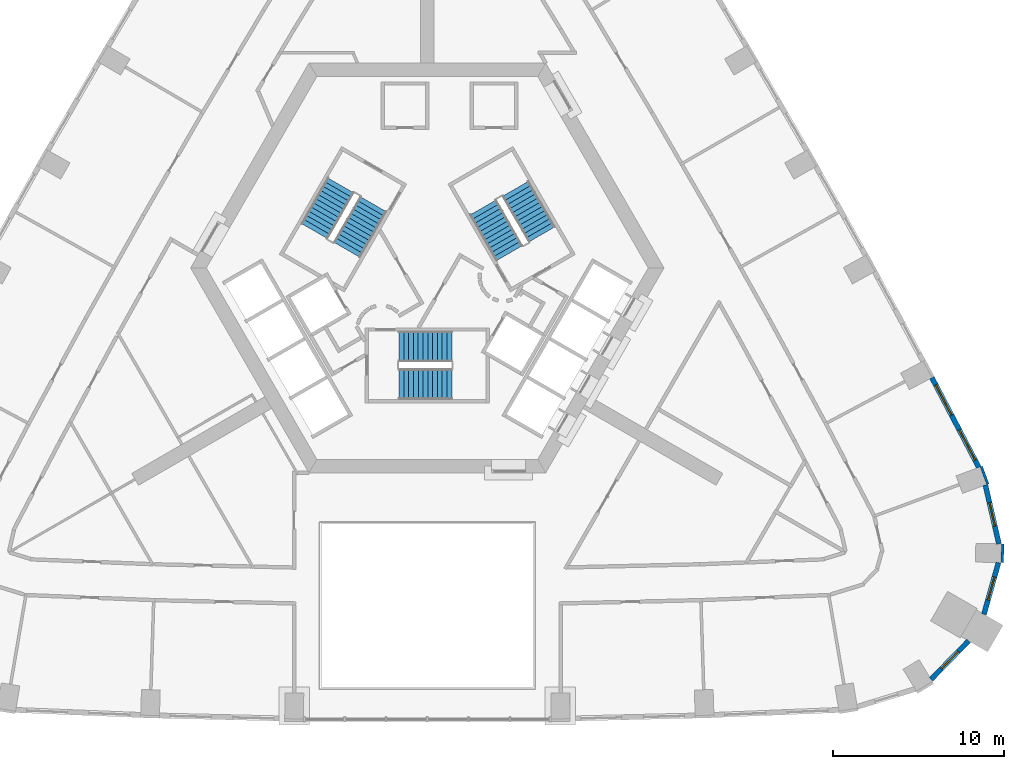
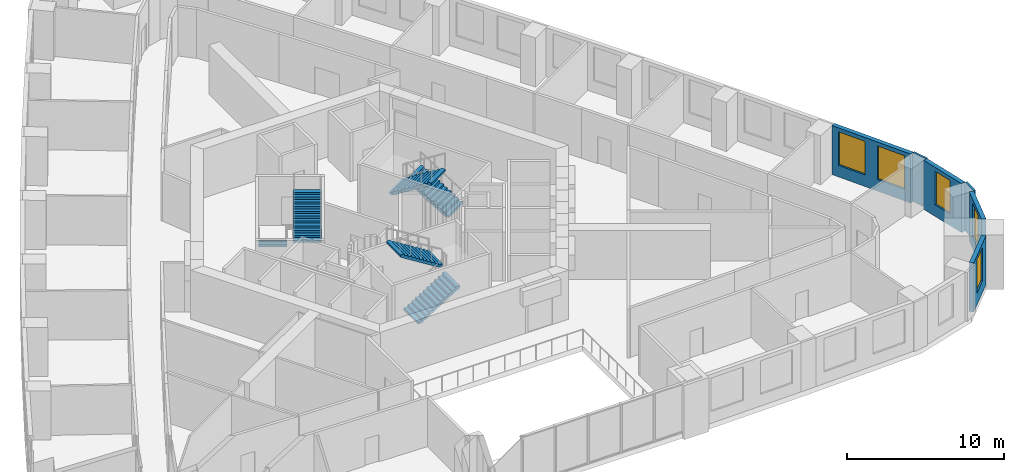
# One storey, part 11 of 12: 6 stair flights, 6 walls, 5 windows, 5 openings, 3 elements without a shape of their own.
"""IFC4 building model written with IfcOpenShell, lengths in metres."""

import ifcopenshell
import ifcopenshell.guid

model = None  # the IFC model being written
_history = None  # IfcOwnerHistory: only IFC2X3 demands one
_inside = {}  # id of a spatial element -> (the spatial element, [elements in it])
_under = {}  # id of a project, library or spatial element -> (it, [spatial elements below it])
_declared = {}  # id of a project -> (the project, [libraries it declares])
_typed = {}  # id of a type object -> (the type object, [elements of that type])
_made_of = {}  # id of a material, layer set ... -> (it, [elements and type objects made of it])


def new_model(schema):
    """Start an empty IFC model of exactly this schema.

    Asked for "IFC4X3", IfcOpenShell would pick the latest addendum, in which some entities
    have other attributes; the version numbers below select the first issue.
    IFC2X3 requires an IfcOwnerHistory on every rooted entity: one is made here for all.
    """
    global model, _history
    if schema == "IFC4X3":
        model = ifcopenshell.file(schema_version=(4, 3, 0, 0))
    else:
        model = ifcopenshell.file(schema=schema)
    _inside.clear()
    _under.clear()
    _declared.clear()
    _typed.clear()
    _made_of.clear()
    _history = None
    if model.schema == "IFC2X3":
        org = make("IfcOrganization", Name="unknown")
        user = make(
            "IfcPersonAndOrganization",
            ThePerson=make("IfcPerson", FamilyName="unknown"),
            TheOrganization=org,
        )
        app = make(
            "IfcApplication",
            ApplicationDeveloper=org,
            Version="unknown",
            ApplicationFullName="unknown",
            ApplicationIdentifier="unknown",
        )
        _history = make(
            "IfcOwnerHistory",
            OwningUser=user,
            OwningApplication=app,
            ChangeAction="ADDED",
            CreationDate=0,
        )
    return model


def make(cls, **values):
    """One entity of the class cls with the attributes given. An attribute that is None is left unset."""
    return model.create_entity(
        cls, **{name: value for name, value in values.items() if value is not None}
    )


def rooted(cls, **values):
    """An entity with a GlobalId (a new one), such as an element, a storey or a relation."""
    return make(cls, GlobalId=ifcopenshell.guid.new(), OwnerHistory=_history, **values)


def si_unit(unit_type, name, prefix=None):
    """IfcSIUnit, for example si_unit("LENGTHUNIT", "METRE", prefix="MILLI")."""
    return make("IfcSIUnit", UnitType=unit_type, Prefix=prefix, Name=name)


def assignment(units):
    """IfcUnitAssignment: the units of a project."""
    return None if units is None else make("IfcUnitAssignment", Units=units)


def point(xyz):
    """IfcCartesianPoint."""
    return None if xyz is None else make("IfcCartesianPoint", Coordinates=xyz)


def direction(xyz):
    """IfcDirection."""
    return None if xyz is None else make("IfcDirection", DirectionRatios=xyz)


def frame(location, z_axis=None, x_axis=None):
    """IfcAxis2Placement3D, a coordinate frame: its origin and axes. An axis left out is left unset."""
    return make(
        "IfcAxis2Placement3D",
        Location=point(location),
        Axis=direction(z_axis),
        RefDirection=direction(x_axis),
    )


def frame_2d(location, x_axis=None):
    """IfcAxis2Placement2D, a coordinate frame in the plane: its origin and x axis."""
    return make(
        "IfcAxis2Placement2D", Location=point(location), RefDirection=direction(x_axis)
    )


def origin():
    """The frame at (0, 0, 0) with its axes left unset."""
    return frame((0.0, 0.0, 0.0))


def place(relative_to, where):
    """IfcLocalPlacement: puts the frame where relative to a parent placement (None: the world)."""
    return make(
        "IfcLocalPlacement", PlacementRelTo=relative_to, RelativePlacement=where
    )


def context(
    kind, dimensions, precision=None, world=None, true_north=None, identifier=None
):
    """IfcGeometricRepresentationContext, for example the 3D "Model" context."""
    return make(
        "IfcGeometricRepresentationContext",
        ContextIdentifier=identifier,
        ContextType=kind,
        CoordinateSpaceDimension=dimensions,
        Precision=precision,
        WorldCoordinateSystem=world,
        TrueNorth=true_north,
    )


def subcontext(parent, identifier, kind, view, scale=None):
    """IfcGeometricRepresentationSubContext, for example "Body" below "Model"."""
    return make(
        "IfcGeometricRepresentationSubContext",
        ContextIdentifier=identifier,
        ContextType=kind,
        ParentContext=parent,
        TargetScale=scale,
        TargetView=view,
    )


def project(units=None, contexts=None):
    """IfcProject with its units and contexts."""
    return rooted(
        "IfcProject",
        Name="project",
        RepresentationContexts=contexts,
        UnitsInContext=assignment(units),
    )


def spatial(cls, under=None, at=None, **own):
    """A site, building, storey or space (cls), placed at a placement, below another one or the project."""
    s = rooted(cls, ObjectPlacement=at, **own)
    if under is not None:
        _under.setdefault(under.id(), (under, []))[1].append(s)
    return s


def polyline(points):
    """IfcPolyline through the points."""
    return make("IfcPolyline", Points=[point(p) for p in points])


def profile(cls, at=None, kind="AREA", **sizes):
    """A parametric profile (cls). Its sizes go by their IFC names, for example OverallWidth=200.0."""
    return make(cls, ProfileType=kind, Position=at, **sizes)


def rectangle(**sizes):
    """IfcRectangleProfileDef."""
    return profile("IfcRectangleProfileDef", **sizes)


def outline(outer, holes=None, kind="AREA"):
    """IfcArbitraryClosedProfileDef: a profile drawn as a closed curve; with holes, ...WithVoids."""
    if holes is None:
        return make("IfcArbitraryClosedProfileDef", ProfileType=kind, OuterCurve=outer)
    return make(
        "IfcArbitraryProfileDefWithVoids",
        ProfileType=kind,
        OuterCurve=outer,
        InnerCurves=holes,
    )


def extrude(swept, where, along, depth):
    """IfcExtrudedAreaSolid: the profile swept, set in the frame where, extruded along a direction by depth."""
    return make(
        "IfcExtrudedAreaSolid",
        SweptArea=swept,
        Position=where,
        ExtrudedDirection=direction(along),
        Depth=depth,
    )


def shape(context_of_items, identifier, shape_type, items):
    """IfcShapeRepresentation: the items that make up one representation, for example the "Body"."""
    return make(
        "IfcShapeRepresentation",
        ContextOfItems=context_of_items,
        RepresentationIdentifier=identifier,
        RepresentationType=shape_type,
        Items=items,
    )


def material(Name=None, Category=None):
    """IfcMaterial."""
    return make("IfcMaterial", Name=Name, Category=Category)


def layer(
    of_material, thickness, ventilated=None, Name=None, Category=None, Priority=None
):
    """IfcMaterialLayer: one layer of a wall or slab, of a material (None: an air gap)."""
    return make(
        "IfcMaterialLayer",
        Material=of_material,
        LayerThickness=thickness,
        IsVentilated=ventilated,
        Name=Name,
        Category=Category,
        Priority=Priority,
    )


def layer_set(layers, Name=None):
    """IfcMaterialLayerSet."""
    return make("IfcMaterialLayerSet", MaterialLayers=layers, LayerSetName=Name)


def made_of(thing, what):
    """Note that an element or type object is made of a material, layer set ...; save() writes the relation."""
    if what is not None:
        _made_of.setdefault(what.id(), (what, []))[1].append(thing)
    return thing


def type_object(cls, material=None, **own):
    """A type object (cls), such as IfcWallType, which elements share."""
    return made_of(rooted(cls, **own), material)


def element(
    cls,
    number,
    at=None,
    inside=None,
    cuts=None,
    type_object=None,
    material=None,
    context=None,
    identifier="Body",
    shape_type=None,
    held_by="IfcProductDefinitionShape",
    body=None,
    shapes=None,
    **own,
):
    """One element of the class cls, such as IfcWall. Its Tag is "e" and its number.

    at: its placement. inside: the storey or other place that contains it. cuts: it is an
    opening in that element (IfcRelVoidsElement). A single representation is given by context,
    identifier, shape_type and body (its items); several are given by shapes. held_by: the class
    of the entity that holds the representations. save() writes the other relations.
    """
    e = rooted(cls, Tag="e%d" % number, ObjectPlacement=at, **own)
    if body is not None:
        shapes = [shape(context, identifier, shape_type, body)]
    if shapes is not None:
        e.Representation = make(held_by, Representations=shapes)
    if inside is not None:
        _inside.setdefault(inside.id(), (inside, []))[1].append(e)
    if cuts is not None:
        rooted(
            "IfcRelVoidsElement", RelatingBuildingElement=cuts, RelatedOpeningElement=e
        )
    if type_object is not None:
        _typed.setdefault(type_object.id(), (type_object, []))[1].append(e)
    return made_of(e, material)


def fill(opening, filler):
    """IfcRelFillsElement: the door or window that sits in an opening."""
    return rooted(
        "IfcRelFillsElement",
        RelatingOpeningElement=opening,
        RelatedBuildingElement=filler,
    )


def aggregate(whole, parts):
    """IfcRelAggregates: a whole, such as a stair, and the parts it consists of."""
    return rooted("IfcRelAggregates", RelatingObject=whole, RelatedObjects=parts)


def save(model, path):
    """Write the relations noted so far, then the file.

    IfcRelAggregates (storeys below a building ...), IfcRelContainedInSpatialStructure (elements
    in a storey), IfcRelDefinesByType, IfcRelAssociatesMaterial and IfcRelDeclares: one each for
    every whole, place, type object, material and project.
    """
    for whole, parts in _under.values():
        aggregate(whole, parts)
    for where, things in _inside.values():
        rooted(
            "IfcRelContainedInSpatialStructure",
            RelatedElements=things,
            RelatingStructure=where,
        )
    for kind, things in _typed.values():
        rooted("IfcRelDefinesByType", RelatedObjects=things, RelatingType=kind)
    for what, things in _made_of.values():
        rooted("IfcRelAssociatesMaterial", RelatedObjects=things, RelatingMaterial=what)
    for by, libraries in _declared.values():
        rooted("IfcRelDeclares", RelatingContext=by, RelatedDefinitions=libraries)
    model.write(path)


model = new_model("IFC4")

# Units and contexts
model_context = context("Model", 3, precision=1e-05, world=origin(), true_north=direction((0.0, 1.0)))
body_context = subcontext(model_context, "Body", "Model", "MODEL_VIEW")
ifc_project = project(units=[si_unit("LENGTHUNIT", "METRE"), si_unit("AREAUNIT", "SQUARE_METRE"), si_unit("VOLUMEUNIT", "CUBIC_METRE"), si_unit("PLANEANGLEUNIT", "RADIAN"), si_unit("MASSUNIT", "GRAM", prefix="KILO")], contexts=[model_context])

# Site, building, storey
site_placement = place(None, origin())
site = spatial("IfcSite", under=ifc_project, at=site_placement, CompositionType="ELEMENT")
building_placement = place(site_placement, origin())
building = spatial("IfcBuilding", under=site, at=building_placement, Name="Entoto Arch Interchange Tower", CompositionType="ELEMENT")
storey_placement = place(building_placement, frame((0.0, 0.0, 142.39990234375)))
storey = spatial("IfcBuildingStorey", under=building, at=storey_placement, Name="L31", CompositionType="ELEMENT", Elevation=142.39990234375)

# Wall, opening, window
ifc_material_1 = material(Name="Welded tuff (ignimbrite) cladding, warm buff", Category="masonry")
ifc_layer_1 = layer(ifc_material_1, 0.300048828125)
ifc_layer_set_1 = layer_set([ifc_layer_1], Name="Welded tuff (ignimbrite) cladding, warm buff")
wall_type_1 = type_object("IfcWallType", Name="STONE INFILL WALL 300", PredefinedType="STANDARD", material=ifc_layer_set_1)
wall_1_placement = place(storey_placement, frame((29.490966796875, -21.58203125, 0.0), z_axis=(0.0, 0.0, 1.0), x_axis=(0.698633260198, 0.715479956215, 0.0)))
wall_1 = element("IfcWall", 1, at=wall_1_placement, inside=storey, type_object=wall_type_1, Name="Facade wall SE-02 L31", PredefinedType="STANDARD", context=body_context, shape_type="SweptSolid", body=[
    extrude(rectangle(XDim=3.144775390625, YDim=0.300048828125, at=frame_2d((1.572265625, 0.0))), origin(), (0.0, 0.0, 1.0), 3.800048828125),
])
opening_1_placement = place(wall_1_placement, frame((0.8720703125, 0.0, 0.89990234375)))
opening_1 = element("IfcOpeningElement", 2, at=opening_1_placement, cuts=wall_1, Name="Opening WO-B", PredefinedType="OPENING", context=body_context, shape_type="SweptSolid", body=[
    extrude(rectangle(XDim=1.39990234375, YDim=2.60009765625, at=frame_2d((0.699951171875, 1.300048828125))), frame((0.0, 0.16015625, 0.0), z_axis=(0.0, -1.0, 0.0), x_axis=(1.0, 0.0, 0.0)), (0.0, 0.0, 1.0), 0.320068359375),
])
ifc_material_2 = material(Name="Clear glass, low-e double glazed", Category="glass")
window_type_1 = type_object("IfcWindowType", Name="WINDOW WO-B 1400x2600", PartitioningType="DOUBLE_PANEL_VERTICAL", PredefinedType="WINDOW", material=ifc_material_2)
window_1_placement = place(opening_1_placement, origin())
window_1 = element("IfcWindow", 3, at=window_1_placement, inside=storey, type_object=window_type_1, Name="Window WO-B SE-02 L31", OverallHeight=2.60009765625, OverallWidth=1.39990234375, PartitioningType="SINGLE_PANEL", PredefinedType="WINDOW", context=body_context, shape_type="SweptSolid", body=[
    extrude(rectangle(XDim=1.39990234375, YDim=2.60009765625, at=frame_2d((0.699951171875, 1.300048828125))), frame((0.0, 0.030029296875, 0.0), z_axis=(0.0, -1.0, 0.0), x_axis=(1.0, 0.0, 0.0)), (0.0, 0.0, 1.0), 0.06005859375),
])
fill(opening_1, window_1)

wall_2_placement = place(storey_placement, frame((32.5869140625, -17.77490234375, 0.0), z_axis=(0.0, 0.0, 1.0), x_axis=(0.270471130801, 0.962728085912, 0.0)))
wall_2 = element("IfcWall", 4, at=wall_2_placement, inside=storey, type_object=wall_type_1, Name="Facade wall SE-03 L31", PredefinedType="STANDARD", context=body_context, shape_type="SweptSolid", body=[
    extrude(rectangle(XDim=3.14306640625, YDim=0.300048828125, at=frame_2d((1.571533203125, 0.0))), origin(), (0.0, 0.0, 1.0), 3.800048828125),
])
opening_2_placement = place(wall_2_placement, frame((0.8720703125, 0.0, 0.89990234375)))
opening_2 = element("IfcOpeningElement", 5, at=opening_2_placement, cuts=wall_2, Name="Opening WO-B", PredefinedType="OPENING", context=body_context, shape_type="SweptSolid", body=[
    extrude(rectangle(XDim=1.39990234375, YDim=2.60009765625, at=frame_2d((0.699951171875, 1.300048828125))), frame((0.0, 0.16015625, 0.0), z_axis=(0.0, -1.0, 0.0), x_axis=(1.0, 0.0, 0.0)), (0.0, 0.0, 1.0), 0.320068359375),
])
window_2_placement = place(opening_2_placement, origin())
window_2 = element("IfcWindow", 6, at=window_2_placement, inside=storey, type_object=window_type_1, Name="Window WO-B SE-03 L31", OverallHeight=2.60009765625, OverallWidth=1.39990234375, PartitioningType="SINGLE_PANEL", PredefinedType="WINDOW", context=body_context, shape_type="SweptSolid", body=[
    extrude(rectangle(XDim=1.39990234375, YDim=2.60009765625, at=frame_2d((0.699951171875, 1.300048828125))), frame((0.0, 0.030029296875, 0.0), z_axis=(0.0, -1.0, 0.0), x_axis=(1.0, 0.0, 0.0)), (0.0, 0.0, 1.0), 0.06005859375),
])
fill(opening_2, window_2)

wall_3_placement = place(storey_placement, frame((33.462890625, -13.65087890625, 0.0), z_axis=(0.0, 0.0, 1.0), x_axis=(-0.223538714932, 0.974695051247, 0.0)))
wall_3 = element("IfcWall", 7, at=wall_3_placement, inside=storey, type_object=wall_type_1, Name="Facade wall SE-04 L31", PredefinedType="STANDARD", context=body_context, shape_type="SweptSolid", body=[
    extrude(rectangle(XDim=3.53759765625, YDim=0.300048828125, at=frame_2d((1.768798828125, 0.0))), origin(), (0.0, 0.0, 1.0), 3.800048828125),
])
opening_3_placement = place(wall_3_placement, frame((1.069091796875, 0.0, 0.89990234375)))
opening_3 = element("IfcOpeningElement", 8, at=opening_3_placement, cuts=wall_3, Name="Opening WO-B", PredefinedType="OPENING", context=body_context, shape_type="SweptSolid", body=[
    extrude(rectangle(XDim=1.39990234375, YDim=2.60009765625, at=frame_2d((0.699951171875, 1.300048828125))), frame((0.0, 0.16015625, 0.0), z_axis=(0.0, -1.0, 0.0), x_axis=(1.0, 0.0, 0.0)), (0.0, 0.0, 1.0), 0.320068359375),
])
window_3_placement = place(opening_3_placement, origin())
window_3 = element("IfcWindow", 9, at=window_3_placement, inside=storey, type_object=window_type_1, Name="Window WO-B SE-04 L31", OverallHeight=2.60009765625, OverallWidth=1.39990234375, PartitioningType="SINGLE_PANEL", PredefinedType="WINDOW", context=body_context, shape_type="SweptSolid", body=[
    extrude(rectangle(XDim=1.39990234375, YDim=2.60009765625, at=frame_2d((0.699951171875, 1.300048828125))), frame((0.0, 0.030029296875, 0.0), z_axis=(0.0, -1.0, 0.0), x_axis=(1.0, 0.0, 0.0)), (0.0, 0.0, 1.0), 0.06005859375),
])
fill(opening_3, window_3)

# Wall, openings, windows
wall_4_placement = place(storey_placement, frame((32.291015625, -9.173095703125, 0.0), z_axis=(0.0, 0.0, 1.0), x_axis=(-0.463809970306, 0.885934710599, 0.0)))
wall_4 = element("IfcWall", 10, at=wall_4_placement, inside=storey, type_object=wall_type_1, Name="Facade wall NE-01 L31", PredefinedType="STANDARD", context=body_context, shape_type="SweptSolid", body=[
    extrude(rectangle(XDim=5.927001953125, YDim=0.300048828125, at=frame_2d((2.96337890625, 0.0))), origin(), (0.0, 0.0, 1.0), 3.800048828125),
])
opening_4_placement = place(wall_4_placement, frame((0.48193359375, 0.0, 0.89990234375)))
opening_4 = element("IfcOpeningElement", 11, at=opening_4_placement, cuts=wall_4, Name="Opening WO-C", PredefinedType="OPENING", context=body_context, shape_type="SweptSolid", body=[
    extrude(rectangle(XDim=2.0, YDim=2.60009765625, at=frame_2d((1.0, 1.300048828125))), frame((0.0, 0.16015625, 0.0), z_axis=(0.0, -1.0, 0.0), x_axis=(1.0, 0.0, 0.0)), (0.0, 0.0, 1.0), 0.320068359375),
])
opening_5_placement = place(wall_4_placement, frame((3.445068359375, 0.0, 0.89990234375)))
opening_5 = element("IfcOpeningElement", 12, at=opening_5_placement, cuts=wall_4, Name="Opening WO-C", PredefinedType="OPENING", context=body_context, shape_type="SweptSolid", body=[
    extrude(rectangle(XDim=2.0, YDim=2.60009765625, at=frame_2d((1.0, 1.300048828125))), frame((0.0, 0.16015625, 0.0), z_axis=(0.0, -1.0, 0.0), x_axis=(1.0, 0.0, 0.0)), (0.0, 0.0, 1.0), 0.320068359375),
])
window_type_2 = type_object("IfcWindowType", Name="WINDOW WO-C 2000x2600", PartitioningType="DOUBLE_PANEL_VERTICAL", PredefinedType="WINDOW", material=ifc_material_2)
window_4_placement = place(opening_4_placement, origin())
window_4 = element("IfcWindow", 13, at=window_4_placement, inside=storey, type_object=window_type_2, Name="Window WO-C NE-01 L31", OverallHeight=2.60009765625, OverallWidth=2.0, PartitioningType="SINGLE_PANEL", PredefinedType="WINDOW", context=body_context, shape_type="SweptSolid", body=[
    extrude(rectangle(XDim=2.0, YDim=2.60009765625, at=frame_2d((1.0, 1.300048828125))), frame((0.0, 0.030029296875, 0.0), z_axis=(0.0, -1.0, 0.0), x_axis=(1.0, 0.0, 0.0)), (0.0, 0.0, 1.0), 0.06005859375),
])
fill(opening_4, window_4)
window_5_placement = place(opening_5_placement, origin())
window_5 = element("IfcWindow", 14, at=window_5_placement, inside=storey, type_object=window_type_2, Name="Window WO-C NE-01 L31", OverallHeight=2.60009765625, OverallWidth=2.0, PartitioningType="SINGLE_PANEL", PredefinedType="WINDOW", context=body_context, shape_type="SweptSolid", body=[
    extrude(rectangle(XDim=2.0, YDim=2.60009765625, at=frame_2d((1.0, 1.300048828125))), frame((0.0, 0.030029296875, 0.0), z_axis=(0.0, -1.0, 0.0), x_axis=(1.0, 0.0, 0.0)), (0.0, 0.0, 1.0), 0.06005859375),
])
fill(opening_5, window_5)

# Walls
ifc_layer_2 = layer(ifc_material_1, 0.14990234375)
ifc_layer_set_2 = layer_set([ifc_layer_2], Name="Welded tuff (ignimbrite) cladding, warm buff")
wall_type_2 = type_object("IfcWallType", Name="STONE PIER CLADDING 150", PredefinedType="STANDARD", material=ifc_layer_set_2)
for number, where, z_axis, x_axis, name in (
    (15, (32.81005859375, -10.153076171875, 0.0), (0.0, 0.0, 1.0), (-0.346425160624, 0.93807761304, 0.0), "Stone pier NE01 L31"),
    (16, (33.656982421875, -14.7548828125, 0.0), (0.0, 0.0, 1.0), (0.023744690764, 0.999718055084, 0.0), "Stone pier SE3 L31"),
):
    element("IfcWall", number, at=place(storey_placement, frame(where, z_axis=z_axis, x_axis=x_axis)), inside=storey, type_object=wall_type_2, Name=name, PredefinedType="STANDARD", context=body_context, shape_type="SweptSolid", body=[
        extrude(rectangle(XDim=1.10009765625, YDim=0.14990234375, at=frame_2d((0.550048828125, 0.0))), origin(), (0.0, 0.0, 1.0), 3.800048828125),
    ])

# Stair, stair flights
ifc_material_3 = material(Name="Concrete C40/50", Category="concrete")
stair_type = type_object("IfcStairType", Name="EXIT STAIR RC 1800", PredefinedType="HALF_TURN_STAIR", material=ifc_material_3)
stair_1_placement = place(storey_placement, origin())
stair_1 = element("IfcStair", 17, at=stair_1_placement, inside=storey, type_object=stair_type, Name="L31 Exit stair S", PredefinedType="HALF_TURN_STAIR")
stair_flight_type = type_object("IfcStairFlightType", Name="EXIT STAIR FLIGHT RC 1800", PredefinedType="STRAIGHT", material=ifc_material_3)
stair_flight_1_placement = place(storey_placement, frame((-1.64990234375, -4.300048828125, 0.0), z_axis=(0.0, 0.0, 1.0), x_axis=(1.0, 0.0, 0.0)))
stair_flight_1 = element("IfcStairFlight", 18, at=stair_flight_1_placement, type_object=stair_flight_type, Name="ST-S flight 1", NumberOfRisers=12, NumberOfTreads=11, PredefinedType="STRAIGHT", RiserHeight=0.175, TreadLength=0.28, context=body_context, shape_type="SweptSolid", body=[
    extrude(outline(polyline([(-0.0029296875, 0.0), (-0.0029296875, 0.175048828125), (0.280029296875, 0.175048828125), (0.280029296875, 0.35009765625), (0.56005859375, 0.35009765625), (0.56005859375, 0.52490234375), (0.840087890625, 0.52490234375), (0.840087890625, 0.699951171875), (1.1201171875, 0.699951171875), (1.1201171875, 0.875), (1.39990234375, 0.875), (1.39990234375, 1.050048828125), (1.679931640625, 1.050048828125), (1.679931640625, 1.22509765625), (1.9599609375, 1.22509765625), (1.9599609375, 1.39990234375), (2.239990234375, 1.39990234375), (2.239990234375, 1.574951171875), (2.52001953125, 1.574951171875), (2.52001953125, 1.75), (2.800048828125, 1.75), (2.800048828125, 1.925048828125), (3.080078125, 1.925048828125), (3.0830078125, 1.925048828125), (3.0830078125, 1.75), (0.28271484375, 0.0), (-0.0029296875, 0.0)])), frame((0.0, 0.89990234375, 0.0), z_axis=(0.0, -1.0, 0.0), x_axis=(1.0, 0.0, 0.0)), (0.0, 0.0, 1.0), 1.800048828125),
])
stair_flight_2_placement = place(storey_placement, frame((1.429931640625, -2.10009765625, 2.10009765625), z_axis=(0.0, 0.0, 1.0), x_axis=(-1.0, 0.0, 0.0)))
stair_flight_2 = element("IfcStairFlight", 19, at=stair_flight_2_placement, type_object=stair_flight_type, Name="ST-S flight 2", NumberOfRisers=12, NumberOfTreads=11, PredefinedType="STRAIGHT", RiserHeight=0.175, TreadLength=0.28, context=body_context, shape_type="SweptSolid", body=[
    extrude(outline(polyline([(-0.0029296875, 0.0), (-0.0029296875, 0.175048828125), (0.280029296875, 0.175048828125), (0.280029296875, 0.35009765625), (0.56005859375, 0.35009765625), (0.56005859375, 0.52490234375), (0.840087890625, 0.52490234375), (0.840087890625, 0.699951171875), (1.1201171875, 0.699951171875), (1.1201171875, 0.875), (1.39990234375, 0.875), (1.39990234375, 1.050048828125), (1.679931640625, 1.050048828125), (1.679931640625, 1.22509765625), (1.9599609375, 1.22509765625), (1.9599609375, 1.39990234375), (2.239990234375, 1.39990234375), (2.239990234375, 1.574951171875), (2.52001953125, 1.574951171875), (2.52001953125, 1.75), (2.800048828125, 1.75), (2.800048828125, 1.925048828125), (3.080078125, 1.925048828125), (3.0830078125, 1.925048828125), (3.0830078125, 1.75), (0.28271484375, 0.0), (-0.0029296875, 0.0)])), frame((0.0, 0.89990234375, 0.0), z_axis=(0.0, -1.0, 0.0), x_axis=(1.0, 0.0, 0.0)), (0.0, 0.0, 1.0), 1.800048828125),
])
aggregate(stair_1, [stair_flight_1, stair_flight_2])

stair_2_placement = place(storey_placement, origin())
stair_2 = element("IfcStair", 20, at=stair_2_placement, inside=storey, type_object=stair_type, Name="L31 Exit stair NE", PredefinedType="HALF_TURN_STAIR")
stair_flight_3_placement = place(storey_placement, frame((6.7138671875, 4.470947265625, 0.0), z_axis=(0.0, 0.0, 1.0), x_axis=(-0.5, 0.866025403784, 0.0)))
stair_flight_3 = element("IfcStairFlight", 21, at=stair_flight_3_placement, type_object=stair_flight_type, Name="ST-NE flight 1", NumberOfRisers=12, NumberOfTreads=11, PredefinedType="STRAIGHT", RiserHeight=0.175, TreadLength=0.28, context=body_context, shape_type="SweptSolid", body=[
    extrude(outline(polyline([(-0.0029296875, 0.0), (-0.0029296875, 0.175048828125), (0.280029296875, 0.175048828125), (0.280029296875, 0.35009765625), (0.56005859375, 0.35009765625), (0.56005859375, 0.52490234375), (0.840087890625, 0.52490234375), (0.840087890625, 0.699951171875), (1.1201171875, 0.699951171875), (1.1201171875, 0.875), (1.39990234375, 0.875), (1.39990234375, 1.050048828125), (1.679931640625, 1.050048828125), (1.679931640625, 1.22509765625), (1.9599609375, 1.22509765625), (1.9599609375, 1.39990234375), (2.239990234375, 1.39990234375), (2.239990234375, 1.574951171875), (2.52001953125, 1.574951171875), (2.52001953125, 1.75), (2.800048828125, 1.75), (2.800048828125, 1.925048828125), (3.080078125, 1.925048828125), (3.0830078125, 1.925048828125), (3.0830078125, 1.75), (0.28271484375, 0.0), (-0.0029296875, 0.0)])), frame((0.0, 0.89990234375, 0.0), z_axis=(0.0, -1.0, 0.0), x_axis=(1.0, 0.0, 0.0)), (0.0, 0.0, 1.0), 1.800048828125),
])
stair_flight_4_placement = place(storey_placement, frame((3.268798828125, 6.038330078125, 2.10009765625), z_axis=(0.0, 0.0, 1.0), x_axis=(0.5, -0.866025403784, 0.0)))
stair_flight_4 = element("IfcStairFlight", 22, at=stair_flight_4_placement, type_object=stair_flight_type, Name="ST-NE flight 2", NumberOfRisers=12, NumberOfTreads=11, PredefinedType="STRAIGHT", RiserHeight=0.175, TreadLength=0.28, context=body_context, shape_type="SweptSolid", body=[
    extrude(outline(polyline([(-0.0029296875, 0.0), (-0.0029296875, 0.175048828125), (0.280029296875, 0.175048828125), (0.280029296875, 0.35009765625), (0.56005859375, 0.35009765625), (0.56005859375, 0.52490234375), (0.840087890625, 0.52490234375), (0.840087890625, 0.699951171875), (1.1201171875, 0.699951171875), (1.1201171875, 0.875), (1.39990234375, 0.875), (1.39990234375, 1.050048828125), (1.679931640625, 1.050048828125), (1.679931640625, 1.22509765625), (1.9599609375, 1.22509765625), (1.9599609375, 1.39990234375), (2.239990234375, 1.39990234375), (2.239990234375, 1.574951171875), (2.52001953125, 1.574951171875), (2.52001953125, 1.75), (2.800048828125, 1.75), (2.800048828125, 1.925048828125), (3.080078125, 1.925048828125), (3.0830078125, 1.925048828125), (3.0830078125, 1.75), (0.28271484375, 0.0), (-0.0029296875, 0.0)])), frame((0.0, 0.89990234375, 0.0), z_axis=(0.0, -1.0, 0.0), x_axis=(1.0, 0.0, 0.0)), (0.0, 0.0, 1.0), 1.800048828125),
])
aggregate(stair_2, [stair_flight_3, stair_flight_4])

stair_3_placement = place(storey_placement, origin())
stair_3 = element("IfcStair", 23, at=stair_3_placement, inside=storey, type_object=stair_type, Name="L31 Exit stair NW", PredefinedType="HALF_TURN_STAIR")
stair_flight_5_placement = place(storey_placement, frame((-5.06396484375, 7.328857421875, 0.0), z_axis=(0.0, 0.0, 1.0), x_axis=(-0.5, -0.866025403784, 0.0)))
stair_flight_5 = element("IfcStairFlight", 24, at=stair_flight_5_placement, type_object=stair_flight_type, Name="ST-NW flight 1", NumberOfRisers=12, NumberOfTreads=11, PredefinedType="STRAIGHT", RiserHeight=0.175, TreadLength=0.28, context=body_context, shape_type="SweptSolid", body=[
    extrude(outline(polyline([(-0.0029296875, 0.0), (-0.0029296875, 0.175048828125), (0.280029296875, 0.175048828125), (0.280029296875, 0.35009765625), (0.56005859375, 0.35009765625), (0.56005859375, 0.52490234375), (0.840087890625, 0.52490234375), (0.840087890625, 0.699951171875), (1.1201171875, 0.699951171875), (1.1201171875, 0.875), (1.39990234375, 0.875), (1.39990234375, 1.050048828125), (1.679931640625, 1.050048828125), (1.679931640625, 1.22509765625), (1.9599609375, 1.22509765625), (1.9599609375, 1.39990234375), (2.239990234375, 1.39990234375), (2.239990234375, 1.574951171875), (2.52001953125, 1.574951171875), (2.52001953125, 1.75), (2.800048828125, 1.75), (2.800048828125, 1.925048828125), (3.080078125, 1.925048828125), (3.0830078125, 1.925048828125), (3.0830078125, 1.75), (0.28271484375, 0.0), (-0.0029296875, 0.0)])), frame((0.0, 0.89990234375, 0.0), z_axis=(0.0, -1.0, 0.0), x_axis=(1.0, 0.0, 0.0)), (0.0, 0.0, 1.0), 1.800048828125),
])
stair_flight_6_placement = place(storey_placement, frame((-4.69873046875, 3.5615234375, 2.10009765625), z_axis=(0.0, 0.0, 1.0), x_axis=(0.5, 0.866025403784, 0.0)))
stair_flight_6 = element("IfcStairFlight", 25, at=stair_flight_6_placement, type_object=stair_flight_type, Name="ST-NW flight 2", NumberOfRisers=12, NumberOfTreads=11, PredefinedType="STRAIGHT", RiserHeight=0.175, TreadLength=0.28, context=body_context, shape_type="SweptSolid", body=[
    extrude(outline(polyline([(-0.0029296875, 0.0), (-0.0029296875, 0.175048828125), (0.280029296875, 0.175048828125), (0.280029296875, 0.35009765625), (0.56005859375, 0.35009765625), (0.56005859375, 0.52490234375), (0.840087890625, 0.52490234375), (0.840087890625, 0.699951171875), (1.1201171875, 0.699951171875), (1.1201171875, 0.875), (1.39990234375, 0.875), (1.39990234375, 1.050048828125), (1.679931640625, 1.050048828125), (1.679931640625, 1.22509765625), (1.9599609375, 1.22509765625), (1.9599609375, 1.39990234375), (2.239990234375, 1.39990234375), (2.239990234375, 1.574951171875), (2.52001953125, 1.574951171875), (2.52001953125, 1.75), (2.800048828125, 1.75), (2.800048828125, 1.925048828125), (3.080078125, 1.925048828125), (3.0830078125, 1.925048828125), (3.0830078125, 1.75), (0.28271484375, 0.0), (-0.0029296875, 0.0)])), frame((0.0, 0.89990234375, 0.0), z_axis=(0.0, -1.0, 0.0), x_axis=(1.0, 0.0, 0.0)), (0.0, 0.0, 1.0), 1.800048828125),
])
aggregate(stair_3, [stair_flight_5, stair_flight_6])

save(model, "model.ifc")
